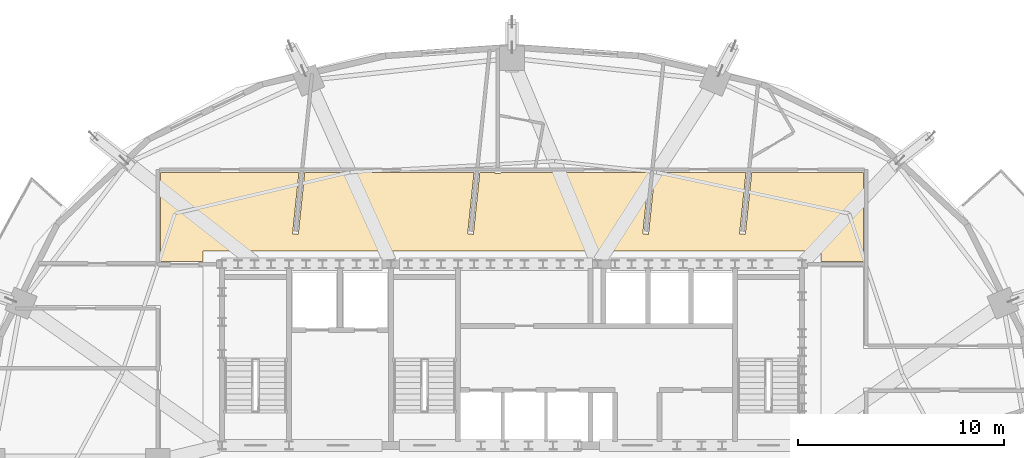
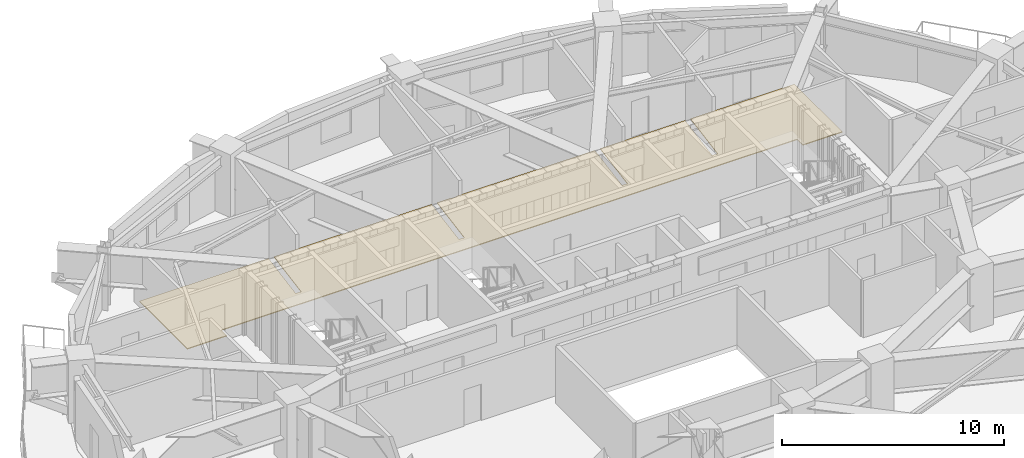
# One storey, part 14 of 14: 1 covering.
"""IFC4 building model written with IfcOpenShell, lengths in metres."""

from ifc_helpers import new_model, si_unit, direction, frame, origin, place, context, subcontext, project, spatial, polyline, outline, extrude, material, layer, layer_set, type_object, element, save


model = new_model("IFC4")

# Units and contexts
model_context = context("Model", 3, precision=1e-05, world=origin(), true_north=direction((0.0, 1.0)))
body_context = subcontext(model_context, "Body", "Model", "MODEL_VIEW")
ifc_project = project(units=[si_unit("LENGTHUNIT", "METRE"), si_unit("AREAUNIT", "SQUARE_METRE"), si_unit("VOLUMEUNIT", "CUBIC_METRE"), si_unit("PLANEANGLEUNIT", "RADIAN"), si_unit("MASSUNIT", "GRAM", prefix="KILO")], contexts=[model_context])

# Site, building, storey
site_placement = place(None, origin())
site = spatial("IfcSite", under=ifc_project, at=site_placement, CompositionType="ELEMENT")
building_placement = place(site_placement, origin())
building = spatial("IfcBuilding", under=site, at=building_placement, Name="Haldorwick Loom Tower", CompositionType="ELEMENT")
storey_placement = place(building_placement, frame((0.0, 0.0, 182.050048828125)))
storey = spatial("IfcBuildingStorey", under=building, at=storey_placement, Name="L49", CompositionType="ELEMENT", Elevation=182.050048828125)

# Covering
ifc_material = material(Name="Polished Aggregate Terrazzo Finish")
ifc_layer = layer(ifc_material, 0.044921875, Name="Polished Aggregate Terrazzo Finish")
ifc_layer_set = layer_set([ifc_layer], Name="Polished Aggregate Terrazzo Finish")
covering_type = type_object("IfcCoveringType", Name="ARC-COV-FLOOR2", PredefinedType="FLOORING", material=ifc_layer_set)
covering_placement = place(storey_placement, origin())
element("IfcCovering", 1, at=covering_placement, inside=storey, type_object=covering_type, Name="L49 Floor Finish 2", PredefinedType="FLOORING", context=body_context, shape_type="SweptSolid", body=[
    extrude(outline(polyline([(21.0, 35.68994140625), (21.0, 36.199951171875), (51.0, 36.199951171875), (51.0, 35.68994140625), (53.06005859375, 35.68994140625), (53.06005859375, 40.010009765625), (47.638671875, 40.010009765625), (47.326904296875, 37.01611328125), (47.326416015625, 37.01416015625), (47.325927734375, 37.01220703125), (47.3251953125, 37.010498046875), (47.324462890625, 37.0087890625), (47.323486328125, 37.007080078125), (47.322265625, 37.00537109375), (47.321044921875, 37.00390625), (47.319580078125, 37.002685546875), (47.31787109375, 37.00146484375), (47.316162109375, 37.00048828125), (47.314453125, 36.999755859375), (47.3125, 36.9990234375), (47.310791015625, 36.99853515625), (47.30859375, 36.998291015625), (47.306884765625, 36.998291015625), (47.3046875, 36.998291015625), (47.066162109375, 37.023193359375), (47.064208984375, 37.0234375), (47.062255859375, 37.02392578125), (47.060302734375, 37.024658203125), (47.05859375, 37.025390625), (47.056884765625, 37.026611328125), (47.055419921875, 37.027587890625), (47.053955078125, 37.029052734375), (47.052734375, 37.030517578125), (47.051513671875, 37.031982421875), (47.050537109375, 37.03369140625), (47.0498046875, 37.03564453125), (47.049072265625, 37.037353515625), (47.048583984375, 37.039306640625), (47.04833984375, 37.041259765625), (47.048095703125, 37.043212890625), (47.04833984375, 37.045166015625), (47.357177734375, 40.010009765625), (42.938720703125, 40.010009765625), (42.626708984375, 37.01611328125), (42.62646484375, 37.01416015625), (42.6259765625, 37.01220703125), (42.625244140625, 37.010498046875), (42.62451171875, 37.0087890625), (42.62353515625, 37.007080078125), (42.622314453125, 37.00537109375), (42.62109375, 37.00390625), (42.619384765625, 37.002685546875), (42.617919921875, 37.00146484375), (42.6162109375, 37.00048828125), (42.614501953125, 36.999755859375), (42.612548828125, 36.9990234375), (42.610595703125, 36.99853515625), (42.608642578125, 36.998291015625), (42.606689453125, 36.998291015625), (42.604736328125, 36.998291015625), (42.3662109375, 37.023193359375), (42.3642578125, 37.0234375), (42.3623046875, 37.02392578125), (42.3603515625, 37.024658203125), (42.358642578125, 37.025390625), (42.35693359375, 37.026611328125), (42.35546875, 37.027587890625), (42.35400390625, 37.029052734375), (42.352783203125, 37.030517578125), (42.3515625, 37.031982421875), (42.3505859375, 37.03369140625), (42.349609375, 37.03564453125), (42.34912109375, 37.037353515625), (42.3486328125, 37.039306640625), (42.348388671875, 37.041259765625), (42.34814453125, 37.043212890625), (42.348388671875, 37.045166015625), (42.656982421875, 40.010009765625), (35.455078125, 40.010009765625), (35.455078125, 39.97998046875), (35.454833984375, 39.97802734375), (35.45458984375, 39.97607421875), (35.4541015625, 39.97412109375), (35.45361328125, 39.972412109375), (35.45263671875, 39.970703125), (35.45166015625, 39.968994140625), (35.450439453125, 39.96728515625), (35.44921875, 39.9658203125), (35.44775390625, 39.964599609375), (35.446044921875, 39.96337890625), (35.4443359375, 39.96240234375), (35.442626953125, 39.96142578125), (35.44091796875, 39.9609375), (35.43896484375, 39.96044921875), (35.43701171875, 39.960205078125), (35.43505859375, 39.9599609375), (35.195068359375, 39.9599609375), (35.193115234375, 39.960205078125), (35.191162109375, 39.96044921875), (35.189208984375, 39.9609375), (35.187255859375, 39.96142578125), (35.185546875, 39.96240234375), (35.183837890625, 39.96337890625), (35.182373046875, 39.964599609375), (35.180908203125, 39.9658203125), (35.179443359375, 39.96728515625), (35.178466796875, 39.968994140625), (35.177490234375, 39.970703125), (35.176513671875, 39.972412109375), (35.17578125, 39.97412109375), (35.17529296875, 39.97607421875), (35.175048828125, 39.97802734375), (35.175048828125, 39.97998046875), (35.175048828125, 40.010009765625), (34.438720703125, 40.010009765625), (34.126708984375, 37.01611328125), (34.12646484375, 37.01416015625), (34.1259765625, 37.01220703125), (34.125244140625, 37.010498046875), (34.12451171875, 37.0087890625), (34.12353515625, 37.007080078125), (34.122314453125, 37.00537109375), (34.12109375, 37.00390625), (34.119384765625, 37.002685546875), (34.117919921875, 37.00146484375), (34.1162109375, 37.00048828125), (34.114501953125, 36.999755859375), (34.112548828125, 36.9990234375), (34.110595703125, 36.99853515625), (34.108642578125, 36.998291015625), (34.106689453125, 36.998291015625), (34.104736328125, 36.998291015625), (33.8662109375, 37.023193359375), (33.8642578125, 37.0234375), (33.8623046875, 37.02392578125), (33.8603515625, 37.024658203125), (33.858642578125, 37.025390625), (33.85693359375, 37.026611328125), (33.85546875, 37.027587890625), (33.85400390625, 37.029052734375), (33.852783203125, 37.030517578125), (33.8515625, 37.031982421875), (33.8505859375, 37.03369140625), (33.849609375, 37.03564453125), (33.84912109375, 37.037353515625), (33.8486328125, 37.039306640625), (33.848388671875, 37.041259765625), (33.84814453125, 37.043212890625), (33.848388671875, 37.045166015625), (34.156982421875, 40.010009765625), (25.938720703125, 40.010009765625), (25.626708984375, 37.01611328125), (25.62646484375, 37.01416015625), (25.6259765625, 37.01220703125), (25.625244140625, 37.010498046875), (25.62451171875, 37.0087890625), (25.62353515625, 37.007080078125), (25.622314453125, 37.00537109375), (25.62109375, 37.00390625), (25.619384765625, 37.002685546875), (25.617919921875, 37.00146484375), (25.6162109375, 37.00048828125), (25.614501953125, 36.999755859375), (25.612548828125, 36.9990234375), (25.610595703125, 36.99853515625), (25.608642578125, 36.998291015625), (25.606689453125, 36.998291015625), (25.604736328125, 36.998291015625), (25.3662109375, 37.023193359375), (25.3642578125, 37.0234375), (25.3623046875, 37.02392578125), (25.3603515625, 37.024658203125), (25.358642578125, 37.025390625), (25.35693359375, 37.026611328125), (25.35546875, 37.027587890625), (25.35400390625, 37.029052734375), (25.352783203125, 37.030517578125), (25.3515625, 37.031982421875), (25.3505859375, 37.03369140625), (25.349609375, 37.03564453125), (25.34912109375, 37.037353515625), (25.3486328125, 37.039306640625), (25.348388671875, 37.041259765625), (25.34814453125, 37.043212890625), (25.348388671875, 37.045166015625), (25.656982421875, 40.010009765625), (18.93994140625, 40.010009765625), (18.93994140625, 35.68994140625), (21.0, 35.68994140625)])), origin(), (0.0, 0.0, 1.0), 0.044921875),
])

save(model, "model.ifc")
